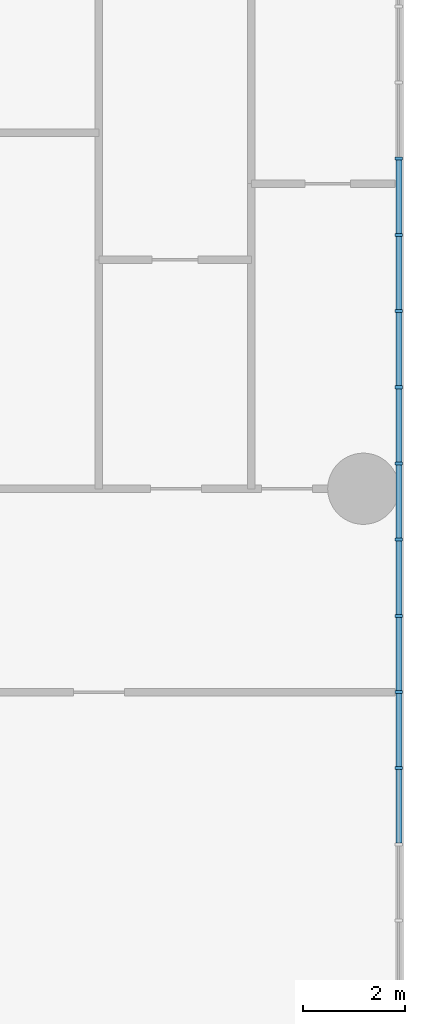
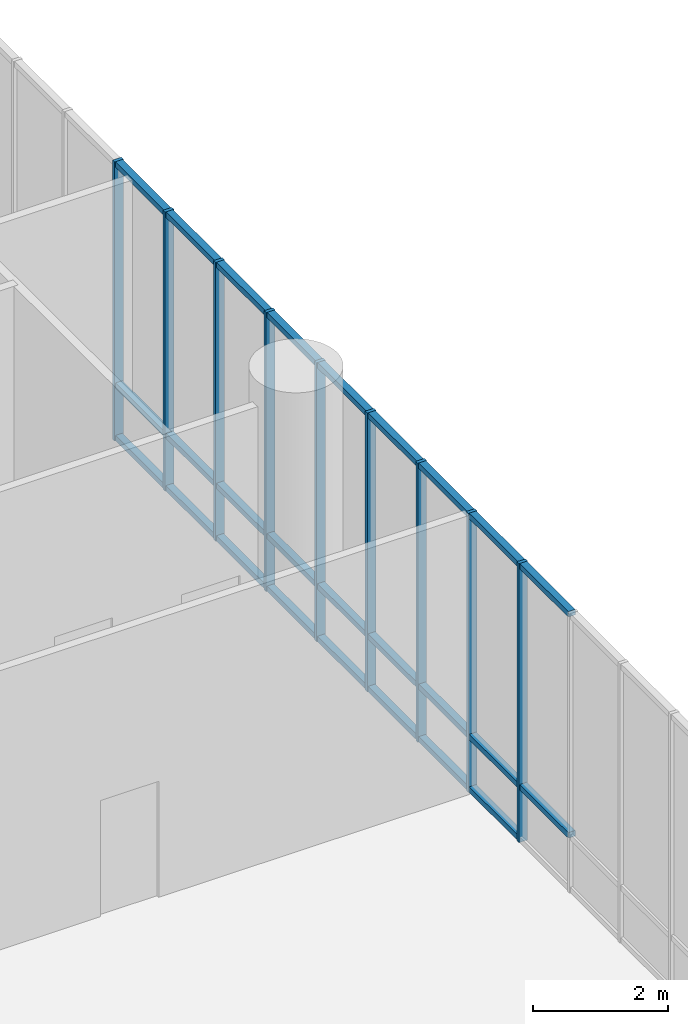
# One storey, part 12 of 28: 35 members, 1 element without a shape of its own.
"""IFC4 building model written with IfcOpenShell, lengths in metres."""

from ifc_helpers import new_model, si_unit, direction, frame, origin, origin_2d, place, context, subcontext, project, spatial, rectangle, extrude, material, layer, layer_set, material_profile, profile_set, type_object, element, aggregate, save


model = new_model("IFC4")

# Units and contexts
model_context = context("Model", 3, precision=1e-05, world=origin(), true_north=direction((0.0, 1.0)))
body_context = subcontext(model_context, "Body", "Model", "MODEL_VIEW")
ifc_project = project(units=[si_unit("LENGTHUNIT", "METRE"), si_unit("AREAUNIT", "SQUARE_METRE"), si_unit("VOLUMEUNIT", "CUBIC_METRE"), si_unit("PLANEANGLEUNIT", "RADIAN"), si_unit("MASSUNIT", "GRAM", prefix="KILO")], contexts=[model_context])

# Site, building, storey
site_placement = place(None, origin())
site = spatial("IfcSite", under=ifc_project, at=site_placement, CompositionType="ELEMENT")
building_placement = place(site_placement, origin())
building = spatial("IfcBuilding", under=site, at=building_placement, Name="Torana Hotel and Residences", CompositionType="ELEMENT")
storey_placement = place(building_placement, frame((0.0, 0.0, 7.0)))
storey = spatial("IfcBuildingStorey", under=building, at=storey_placement, Name="L01", CompositionType="ELEMENT", Elevation=7.0)

# Curtain wall, members
ifc_material_1 = material(Name="Dark anodised aluminium", Category="aluminium")
ifc_layer = layer(ifc_material_1, 0.14990234375)
ifc_layer_set = layer_set([ifc_layer], Name="CW5 PODIUM UPPER UNITISED CURTAIN WALL")
curtain_wall_type = type_object("IfcCurtainWallType", Name="CW5 PODIUM UPPER UNITISED CURTAIN WALL", PredefinedType="NOTDEFINED", material=ifc_layer_set)
curtain_wall_placement = place(storey_placement, origin())
curtain_wall = element("IfcCurtainWall", 1, at=curtain_wall_placement, inside=storey, type_object=curtain_wall_type, Name="Curtain wall CW5 L01 e1.5", PredefinedType="NOTDEFINED")
ifc_material_2 = material(Name="Dark anodised aluminium", Category="aluminium")
ifc_material_profile_1 = material_profile(ifc_material_2, rectangle(XDim=0.14990234375, YDim=0.06005859375, at=origin_2d()), Name="CW5 MULLION 60x150")
ifc_profile_set_1 = profile_set([ifc_material_profile_1], Name="Dark anodised aluminium")
member_type_1 = type_object("IfcMemberType", Name="CW5 MULLION 60x150", PredefinedType="MULLION", material=ifc_profile_set_1)
member_1_placement = place(storey_placement, frame((47.89990234375, -20.493896484375, 0.0), z_axis=(0.0, 0.0, 1.0), x_axis=(-1.0, 0.0, 0.0)))
member_1 = element("IfcMember", 2, at=member_1_placement, type_object=member_type_1, Name="CW5 mullion 10", PredefinedType="MULLION", context=body_context, shape_type="SweptSolid", body=[
    extrude(rectangle(XDim=0.14990234375, YDim=0.06005859375, at=origin_2d()), origin(), (0.0, 0.0, 1.0), 5.050048828125),
])
member_2_placement = place(storey_placement, frame((47.89990234375, -18.995849609375, 0.0), z_axis=(0.0, 0.0, 1.0), x_axis=(-1.0, 0.0, 0.0)))
member_2 = element("IfcMember", 3, at=member_2_placement, type_object=member_type_1, Name="CW5 mullion 11", PredefinedType="MULLION", context=body_context, shape_type="SweptSolid", body=[
    extrude(rectangle(XDim=0.14990234375, YDim=0.06005859375, at=origin_2d()), origin(), (0.0, 0.0, 1.0), 5.050048828125),
])
member_3_placement = place(storey_placement, frame((47.89990234375, -17.498046875, 0.0), z_axis=(0.0, 0.0, 1.0), x_axis=(-1.0, 0.0, 0.0)))
member_3 = element("IfcMember", 4, at=member_3_placement, type_object=member_type_1, Name="CW5 mullion 12", PredefinedType="MULLION", context=body_context, shape_type="SweptSolid", body=[
    extrude(rectangle(XDim=0.14990234375, YDim=0.06005859375, at=origin_2d()), origin(), (0.0, 0.0, 1.0), 5.050048828125),
])
member_4_placement = place(storey_placement, frame((47.89990234375, -16.0, 0.0), z_axis=(0.0, 0.0, 1.0), x_axis=(-1.0, 0.0, 0.0)))
member_4 = element("IfcMember", 5, at=member_4_placement, type_object=member_type_1, Name="CW5 mullion 13", PredefinedType="MULLION", context=body_context, shape_type="SweptSolid", body=[
    extrude(rectangle(XDim=0.14990234375, YDim=0.06005859375, at=origin_2d()), origin(), (0.0, 0.0, 1.0), 5.050048828125),
])
member_5_placement = place(storey_placement, frame((47.89990234375, -14.501953125, 0.0), z_axis=(0.0, 0.0, 1.0), x_axis=(-1.0, 0.0, 0.0)))
member_5 = element("IfcMember", 6, at=member_5_placement, type_object=member_type_1, Name="CW5 mullion 14", PredefinedType="MULLION", context=body_context, shape_type="SweptSolid", body=[
    extrude(rectangle(XDim=0.14990234375, YDim=0.06005859375, at=origin_2d()), origin(), (0.0, 0.0, 1.0), 5.050048828125),
])
member_6_placement = place(storey_placement, frame((47.89990234375, -13.004150390625, 0.0), z_axis=(0.0, 0.0, 1.0), x_axis=(-1.0, 0.0, 0.0)))
member_6 = element("IfcMember", 7, at=member_6_placement, type_object=member_type_1, Name="CW5 mullion 15", PredefinedType="MULLION", context=body_context, shape_type="SweptSolid", body=[
    extrude(rectangle(XDim=0.14990234375, YDim=0.06005859375, at=origin_2d()), origin(), (0.0, 0.0, 1.0), 5.050048828125),
])
member_7_placement = place(storey_placement, frame((47.89990234375, -11.506103515625, 0.0), z_axis=(0.0, 0.0, 1.0), x_axis=(-1.0, 0.0, 0.0)))
member_7 = element("IfcMember", 8, at=member_7_placement, type_object=member_type_1, Name="CW5 mullion 16", PredefinedType="MULLION", context=body_context, shape_type="SweptSolid", body=[
    extrude(rectangle(XDim=0.14990234375, YDim=0.06005859375, at=origin_2d()), origin(), (0.0, 0.0, 1.0), 5.050048828125),
])
member_8_placement = place(storey_placement, frame((47.89990234375, -10.00830078125, 0.0), z_axis=(0.0, 0.0, 1.0), x_axis=(-1.0, 0.0, 0.0)))
member_8 = element("IfcMember", 9, at=member_8_placement, type_object=member_type_1, Name="CW5 mullion 17", PredefinedType="MULLION", context=body_context, shape_type="SweptSolid", body=[
    extrude(rectangle(XDim=0.14990234375, YDim=0.06005859375, at=origin_2d()), origin(), (0.0, 0.0, 1.0), 5.050048828125),
])
member_9_placement = place(storey_placement, frame((47.89990234375, -8.51025390625, 0.0), z_axis=(0.0, 0.0, 1.0), x_axis=(-1.0, 0.0, 0.0)))
member_9 = element("IfcMember", 10, at=member_9_placement, type_object=member_type_1, Name="CW5 mullion 18", PredefinedType="MULLION", context=body_context, shape_type="SweptSolid", body=[
    extrude(rectangle(XDim=0.14990234375, YDim=0.06005859375, at=origin_2d()), origin(), (0.0, 0.0, 1.0), 5.050048828125),
])
ifc_material_3 = material(Name="Dark anodised aluminium", Category="aluminium")
ifc_material_profile_2 = material_profile(ifc_material_3, rectangle(XDim=0.1201171875, YDim=0.10009765625, at=origin_2d()), Name="CW5 TRANSOM 120x100")
ifc_profile_set_2 = profile_set([ifc_material_profile_2], Name="Dark anodised aluminium")
member_type_2 = type_object("IfcMemberType", Name="CW5 TRANSOM 120x100", PredefinedType="USERDEFINED", material=ifc_profile_set_2)
member_10_placement = place(storey_placement, frame((47.89990234375, -21.9619140625, 1.0), z_axis=(0.0, 1.0, 0.0), x_axis=(-1.0, 0.0, 0.0)))
member_10 = element("IfcMember", 11, at=member_10_placement, type_object=member_type_2, Name="CW5 transom 9.2", ObjectType="TRANSOM", PredefinedType="USERDEFINED", context=body_context, shape_type="SweptSolid", body=[
    extrude(rectangle(XDim=0.1201171875, YDim=0.10009765625, at=origin_2d()), origin(), (0.0, 0.0, 1.0), 1.43798828125),
])
member_11_placement = place(storey_placement, frame((47.89990234375, -21.9619140625, 5.0), z_axis=(0.0, 1.0, 0.0), x_axis=(-1.0, 0.0, 0.0)))
member_11 = element("IfcMember", 12, at=member_11_placement, type_object=member_type_2, Name="CW5 transom 9.3", ObjectType="TRANSOM", PredefinedType="USERDEFINED", context=body_context, shape_type="SweptSolid", body=[
    extrude(rectangle(XDim=0.1201171875, YDim=0.10009765625, at=origin_2d()), origin(), (0.0, 0.0, 1.0), 1.43798828125),
])
member_12_placement = place(storey_placement, frame((47.89990234375, -20.4638671875, 0.050048828125), z_axis=(0.0, 1.0, 0.0), x_axis=(-1.0, 0.0, 0.0)))
member_12 = element("IfcMember", 13, at=member_12_placement, type_object=member_type_2, Name="CW5 transom 10.1", ObjectType="TRANSOM", PredefinedType="USERDEFINED", context=body_context, shape_type="SweptSolid", body=[
    extrude(rectangle(XDim=0.1201171875, YDim=0.10009765625, at=origin_2d()), origin(), (0.0, 0.0, 1.0), 1.43798828125),
])
member_13_placement = place(storey_placement, frame((47.89990234375, -20.4638671875, 1.0), z_axis=(0.0, 1.0, 0.0), x_axis=(-1.0, 0.0, 0.0)))
member_13 = element("IfcMember", 14, at=member_13_placement, type_object=member_type_2, Name="CW5 transom 10.2", ObjectType="TRANSOM", PredefinedType="USERDEFINED", context=body_context, shape_type="SweptSolid", body=[
    extrude(rectangle(XDim=0.1201171875, YDim=0.10009765625, at=origin_2d()), origin(), (0.0, 0.0, 1.0), 1.43798828125),
])
member_14_placement = place(storey_placement, frame((47.89990234375, -20.4638671875, 5.0), z_axis=(0.0, 1.0, 0.0), x_axis=(-1.0, 0.0, 0.0)))
member_14 = element("IfcMember", 15, at=member_14_placement, type_object=member_type_2, Name="CW5 transom 10.3", ObjectType="TRANSOM", PredefinedType="USERDEFINED", context=body_context, shape_type="SweptSolid", body=[
    extrude(rectangle(XDim=0.1201171875, YDim=0.10009765625, at=origin_2d()), origin(), (0.0, 0.0, 1.0), 1.43798828125),
])
member_15_placement = place(storey_placement, frame((47.89990234375, -18.9658203125, 0.050048828125), z_axis=(0.0, 1.0, 0.0), x_axis=(-1.0, 0.0, 0.0)))
member_15 = element("IfcMember", 16, at=member_15_placement, type_object=member_type_2, Name="CW5 transom 11.1", ObjectType="TRANSOM", PredefinedType="USERDEFINED", context=body_context, shape_type="SweptSolid", body=[
    extrude(rectangle(XDim=0.1201171875, YDim=0.10009765625, at=origin_2d()), origin(), (0.0, 0.0, 1.0), 1.43798828125),
])
member_16_placement = place(storey_placement, frame((47.89990234375, -18.9658203125, 1.0), z_axis=(0.0, 1.0, 0.0), x_axis=(-1.0, 0.0, 0.0)))
member_16 = element("IfcMember", 17, at=member_16_placement, type_object=member_type_2, Name="CW5 transom 11.2", ObjectType="TRANSOM", PredefinedType="USERDEFINED", context=body_context, shape_type="SweptSolid", body=[
    extrude(rectangle(XDim=0.1201171875, YDim=0.10009765625, at=origin_2d()), origin(), (0.0, 0.0, 1.0), 1.43798828125),
])
member_17_placement = place(storey_placement, frame((47.89990234375, -18.9658203125, 5.0), z_axis=(0.0, 1.0, 0.0), x_axis=(-1.0, 0.0, 0.0)))
member_17 = element("IfcMember", 18, at=member_17_placement, type_object=member_type_2, Name="CW5 transom 11.3", ObjectType="TRANSOM", PredefinedType="USERDEFINED", context=body_context, shape_type="SweptSolid", body=[
    extrude(rectangle(XDim=0.1201171875, YDim=0.10009765625, at=origin_2d()), origin(), (0.0, 0.0, 1.0), 1.43798828125),
])
member_18_placement = place(storey_placement, frame((47.89990234375, -17.468017578125, 0.050048828125), z_axis=(0.0, 1.0, 0.0), x_axis=(-1.0, 0.0, 0.0)))
member_18 = element("IfcMember", 19, at=member_18_placement, type_object=member_type_2, Name="CW5 transom 12.1", ObjectType="TRANSOM", PredefinedType="USERDEFINED", context=body_context, shape_type="SweptSolid", body=[
    extrude(rectangle(XDim=0.1201171875, YDim=0.10009765625, at=origin_2d()), origin(), (0.0, 0.0, 1.0), 1.43798828125),
])
member_19_placement = place(storey_placement, frame((47.89990234375, -17.468017578125, 1.0), z_axis=(0.0, 1.0, 0.0), x_axis=(-1.0, 0.0, 0.0)))
member_19 = element("IfcMember", 20, at=member_19_placement, type_object=member_type_2, Name="CW5 transom 12.2", ObjectType="TRANSOM", PredefinedType="USERDEFINED", context=body_context, shape_type="SweptSolid", body=[
    extrude(rectangle(XDim=0.1201171875, YDim=0.10009765625, at=origin_2d()), origin(), (0.0, 0.0, 1.0), 1.43798828125),
])
member_20_placement = place(storey_placement, frame((47.89990234375, -17.468017578125, 5.0), z_axis=(0.0, 1.0, 0.0), x_axis=(-1.0, 0.0, 0.0)))
member_20 = element("IfcMember", 21, at=member_20_placement, type_object=member_type_2, Name="CW5 transom 12.3", ObjectType="TRANSOM", PredefinedType="USERDEFINED", context=body_context, shape_type="SweptSolid", body=[
    extrude(rectangle(XDim=0.1201171875, YDim=0.10009765625, at=origin_2d()), origin(), (0.0, 0.0, 1.0), 1.43798828125),
])
member_21_placement = place(storey_placement, frame((47.89990234375, -15.969970703125, 0.050048828125), z_axis=(0.0, 1.0, 0.0), x_axis=(-1.0, 0.0, 0.0)))
member_21 = element("IfcMember", 22, at=member_21_placement, type_object=member_type_2, Name="CW5 transom 13.1", ObjectType="TRANSOM", PredefinedType="USERDEFINED", context=body_context, shape_type="SweptSolid", body=[
    extrude(rectangle(XDim=0.1201171875, YDim=0.10009765625, at=origin_2d()), origin(), (0.0, 0.0, 1.0), 1.43798828125),
])
member_22_placement = place(storey_placement, frame((47.89990234375, -15.969970703125, 1.0), z_axis=(0.0, 1.0, 0.0), x_axis=(-1.0, 0.0, 0.0)))
member_22 = element("IfcMember", 23, at=member_22_placement, type_object=member_type_2, Name="CW5 transom 13.2", ObjectType="TRANSOM", PredefinedType="USERDEFINED", context=body_context, shape_type="SweptSolid", body=[
    extrude(rectangle(XDim=0.1201171875, YDim=0.10009765625, at=origin_2d()), origin(), (0.0, 0.0, 1.0), 1.43798828125),
])
member_23_placement = place(storey_placement, frame((47.89990234375, -15.969970703125, 5.0), z_axis=(0.0, 1.0, 0.0), x_axis=(-1.0, 0.0, 0.0)))
member_23 = element("IfcMember", 24, at=member_23_placement, type_object=member_type_2, Name="CW5 transom 13.3", ObjectType="TRANSOM", PredefinedType="USERDEFINED", context=body_context, shape_type="SweptSolid", body=[
    extrude(rectangle(XDim=0.1201171875, YDim=0.10009765625, at=origin_2d()), origin(), (0.0, 0.0, 1.0), 1.43798828125),
])
member_24_placement = place(storey_placement, frame((47.89990234375, -14.47216796875, 0.050048828125), z_axis=(0.0, 1.0, 0.0), x_axis=(-1.0, 0.0, 0.0)))
member_24 = element("IfcMember", 25, at=member_24_placement, type_object=member_type_2, Name="CW5 transom 14.1", ObjectType="TRANSOM", PredefinedType="USERDEFINED", context=body_context, shape_type="SweptSolid", body=[
    extrude(rectangle(XDim=0.1201171875, YDim=0.10009765625, at=origin_2d()), origin(), (0.0, 0.0, 1.0), 1.43798828125),
])
member_25_placement = place(storey_placement, frame((47.89990234375, -14.47216796875, 1.0), z_axis=(0.0, 1.0, 0.0), x_axis=(-1.0, 0.0, 0.0)))
member_25 = element("IfcMember", 26, at=member_25_placement, type_object=member_type_2, Name="CW5 transom 14.2", ObjectType="TRANSOM", PredefinedType="USERDEFINED", context=body_context, shape_type="SweptSolid", body=[
    extrude(rectangle(XDim=0.1201171875, YDim=0.10009765625, at=origin_2d()), origin(), (0.0, 0.0, 1.0), 1.43798828125),
])
member_26_placement = place(storey_placement, frame((47.89990234375, -14.47216796875, 5.0), z_axis=(0.0, 1.0, 0.0), x_axis=(-1.0, 0.0, 0.0)))
member_26 = element("IfcMember", 27, at=member_26_placement, type_object=member_type_2, Name="CW5 transom 14.3", ObjectType="TRANSOM", PredefinedType="USERDEFINED", context=body_context, shape_type="SweptSolid", body=[
    extrude(rectangle(XDim=0.1201171875, YDim=0.10009765625, at=origin_2d()), origin(), (0.0, 0.0, 1.0), 1.43798828125),
])
member_27_placement = place(storey_placement, frame((47.89990234375, -12.97412109375, 0.050048828125), z_axis=(0.0, 1.0, 0.0), x_axis=(-1.0, 0.0, 0.0)))
member_27 = element("IfcMember", 28, at=member_27_placement, type_object=member_type_2, Name="CW5 transom 15.1", ObjectType="TRANSOM", PredefinedType="USERDEFINED", context=body_context, shape_type="SweptSolid", body=[
    extrude(rectangle(XDim=0.1201171875, YDim=0.10009765625, at=origin_2d()), origin(), (0.0, 0.0, 1.0), 1.43798828125),
])
member_28_placement = place(storey_placement, frame((47.89990234375, -12.97412109375, 1.0), z_axis=(0.0, 1.0, 0.0), x_axis=(-1.0, 0.0, 0.0)))
member_28 = element("IfcMember", 29, at=member_28_placement, type_object=member_type_2, Name="CW5 transom 15.2", ObjectType="TRANSOM", PredefinedType="USERDEFINED", context=body_context, shape_type="SweptSolid", body=[
    extrude(rectangle(XDim=0.1201171875, YDim=0.10009765625, at=origin_2d()), origin(), (0.0, 0.0, 1.0), 1.43798828125),
])
member_29_placement = place(storey_placement, frame((47.89990234375, -12.97412109375, 5.0), z_axis=(0.0, 1.0, 0.0), x_axis=(-1.0, 0.0, 0.0)))
member_29 = element("IfcMember", 30, at=member_29_placement, type_object=member_type_2, Name="CW5 transom 15.3", ObjectType="TRANSOM", PredefinedType="USERDEFINED", context=body_context, shape_type="SweptSolid", body=[
    extrude(rectangle(XDim=0.1201171875, YDim=0.10009765625, at=origin_2d()), origin(), (0.0, 0.0, 1.0), 1.43798828125),
])
member_30_placement = place(storey_placement, frame((47.89990234375, -11.47607421875, 0.050048828125), z_axis=(0.0, 1.0, 0.0), x_axis=(-1.0, 0.0, 0.0)))
member_30 = element("IfcMember", 31, at=member_30_placement, type_object=member_type_2, Name="CW5 transom 16.1", ObjectType="TRANSOM", PredefinedType="USERDEFINED", context=body_context, shape_type="SweptSolid", body=[
    extrude(rectangle(XDim=0.1201171875, YDim=0.10009765625, at=origin_2d()), origin(), (0.0, 0.0, 1.0), 1.43798828125),
])
member_31_placement = place(storey_placement, frame((47.89990234375, -11.47607421875, 1.0), z_axis=(0.0, 1.0, 0.0), x_axis=(-1.0, 0.0, 0.0)))
member_31 = element("IfcMember", 32, at=member_31_placement, type_object=member_type_2, Name="CW5 transom 16.2", ObjectType="TRANSOM", PredefinedType="USERDEFINED", context=body_context, shape_type="SweptSolid", body=[
    extrude(rectangle(XDim=0.1201171875, YDim=0.10009765625, at=origin_2d()), origin(), (0.0, 0.0, 1.0), 1.43798828125),
])
member_32_placement = place(storey_placement, frame((47.89990234375, -11.47607421875, 5.0), z_axis=(0.0, 1.0, 0.0), x_axis=(-1.0, 0.0, 0.0)))
member_32 = element("IfcMember", 33, at=member_32_placement, type_object=member_type_2, Name="CW5 transom 16.3", ObjectType="TRANSOM", PredefinedType="USERDEFINED", context=body_context, shape_type="SweptSolid", body=[
    extrude(rectangle(XDim=0.1201171875, YDim=0.10009765625, at=origin_2d()), origin(), (0.0, 0.0, 1.0), 1.43798828125),
])
member_33_placement = place(storey_placement, frame((47.89990234375, -9.978271484375, 0.050048828125), z_axis=(0.0, 1.0, 0.0), x_axis=(-1.0, 0.0, 0.0)))
member_33 = element("IfcMember", 34, at=member_33_placement, type_object=member_type_2, Name="CW5 transom 17.1", ObjectType="TRANSOM", PredefinedType="USERDEFINED", context=body_context, shape_type="SweptSolid", body=[
    extrude(rectangle(XDim=0.1201171875, YDim=0.10009765625, at=origin_2d()), origin(), (0.0, 0.0, 1.0), 1.43798828125),
])
member_34_placement = place(storey_placement, frame((47.89990234375, -9.978271484375, 1.0), z_axis=(0.0, 1.0, 0.0), x_axis=(-1.0, 0.0, 0.0)))
member_34 = element("IfcMember", 35, at=member_34_placement, type_object=member_type_2, Name="CW5 transom 17.2", ObjectType="TRANSOM", PredefinedType="USERDEFINED", context=body_context, shape_type="SweptSolid", body=[
    extrude(rectangle(XDim=0.1201171875, YDim=0.10009765625, at=origin_2d()), origin(), (0.0, 0.0, 1.0), 1.43798828125),
])
member_35_placement = place(storey_placement, frame((47.89990234375, -9.978271484375, 5.0), z_axis=(0.0, 1.0, 0.0), x_axis=(-1.0, 0.0, 0.0)))
member_35 = element("IfcMember", 36, at=member_35_placement, type_object=member_type_2, Name="CW5 transom 17.3", ObjectType="TRANSOM", PredefinedType="USERDEFINED", context=body_context, shape_type="SweptSolid", body=[
    extrude(rectangle(XDim=0.1201171875, YDim=0.10009765625, at=origin_2d()), origin(), (0.0, 0.0, 1.0), 1.43798828125),
])
aggregate(curtain_wall, [member_1, member_2, member_3, member_4, member_5, member_6, member_7, member_8, member_9, member_10, member_11, member_12, member_13, member_14, member_15, member_16, member_17, member_18, member_19, member_20, member_21, member_22, member_23, member_24, member_25, member_26, member_27, member_28, member_29, member_30, member_31, member_32, member_33, member_34, member_35])

save(model, "model.ifc")
